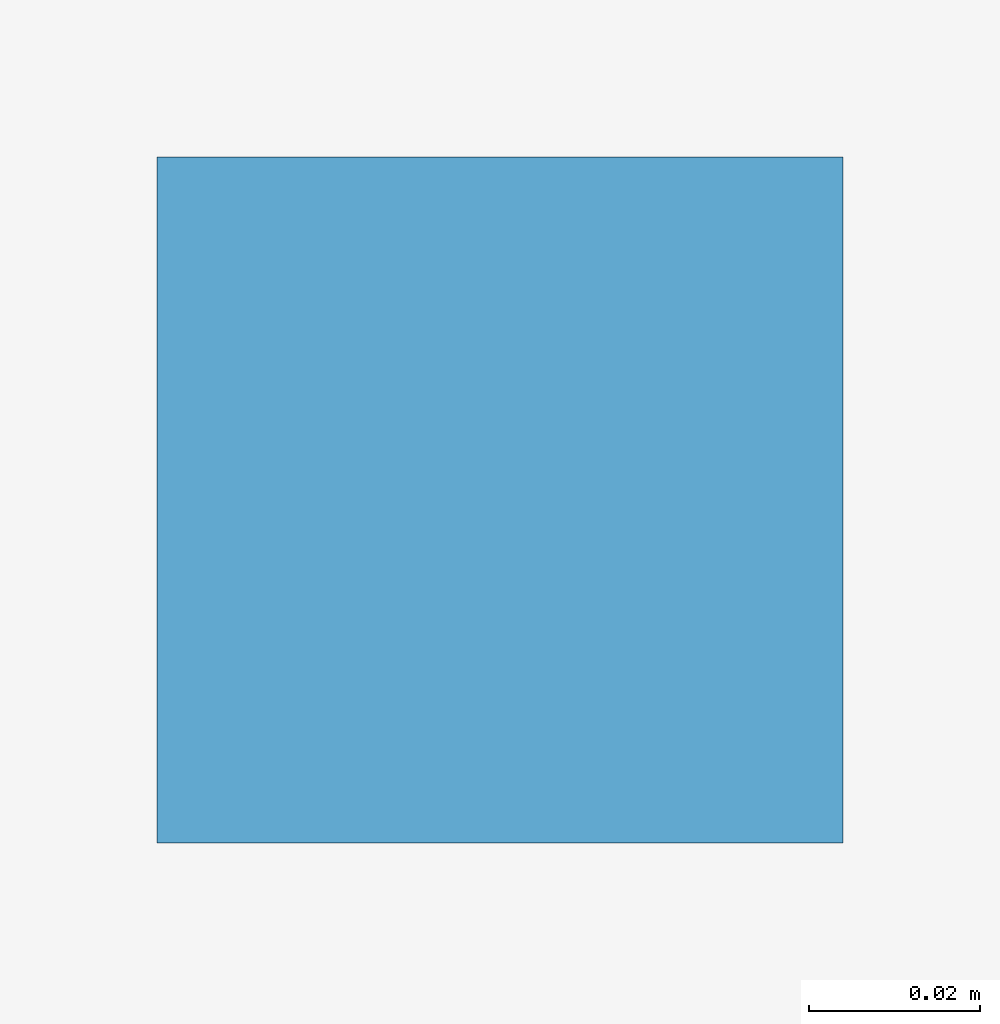
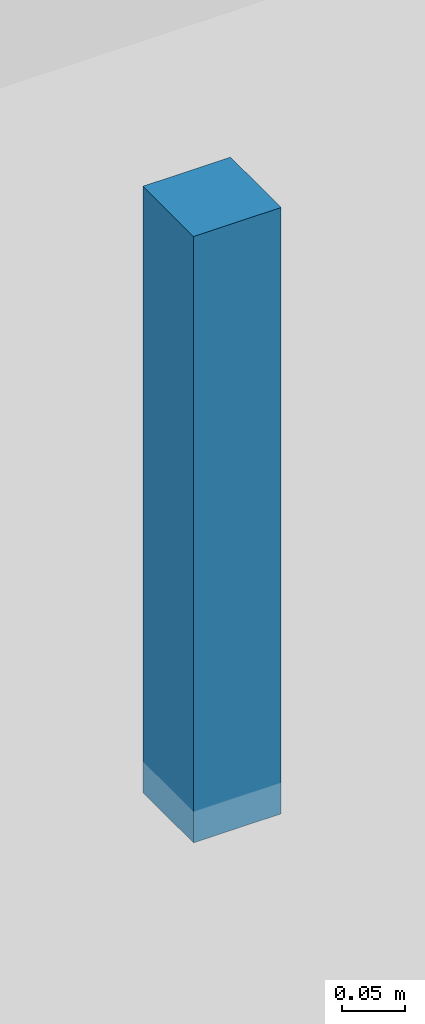
# One storey, part 12 of 15: 1 discrete accessory.
"""IFC4 building model written with IfcOpenShell, lengths in metres."""

from ifc_helpers import new_model, si_unit, direction, frame, origin, origin_2d, place, context, subcontext, project, spatial, rectangle, extrude, source, transform, mapped, material, type_object, element, save


model = new_model("IFC4")

# Units and contexts
model_context = context("Model", 3, precision=1e-05, world=origin(), true_north=direction((0.0, 1.0)))
body_context = subcontext(model_context, "Body", "Model", "MODEL_VIEW")
ifc_project = project(units=[si_unit("LENGTHUNIT", "METRE"), si_unit("AREAUNIT", "SQUARE_METRE"), si_unit("VOLUMEUNIT", "CUBIC_METRE"), si_unit("PLANEANGLEUNIT", "RADIAN"), si_unit("MASSUNIT", "GRAM", prefix="KILO")], contexts=[model_context])

# Site, building, storey
site_placement = place(None, origin())
site = spatial("IfcSite", under=ifc_project, at=site_placement, CompositionType="ELEMENT")
building_placement = place(site_placement, origin())
building = spatial("IfcBuilding", under=site, at=building_placement, Name="Giltprow Tower", CompositionType="ELEMENT")
storey_placement = place(building_placement, frame((0.0, 0.0, 290.39990234375)))
storey = spatial("IfcBuildingStorey", under=building, at=storey_placement, Name="L74", CompositionType="ELEMENT", Elevation=290.39990234375)

# Discrete accessory
ifc_material = material(Name="Structural steel Q355B", Category="steel")
discrete_accessory_type = type_object("IfcDiscreteAccessoryType", Name="ACC-CLG-HANGER", PredefinedType="BRACKET", material=ifc_material)
shared_shape = source(origin(), body_context, "Body", "SweptSolid", [
    extrude(rectangle(XDim=0.080078125, YDim=0.080078125, at=origin_2d()), origin(), (0.0, 0.0, 1.0), 0.5849609375),
])
discrete_accessory_placement = place(storey_placement, frame((35.0, 36.10009765625, 2.61962890625), z_axis=(0.0, 0.0, 1.0), x_axis=(1.0, 0.0, 0.0)))
element("IfcDiscreteAccessory", 1, at=discrete_accessory_placement, inside=storey, type_object=discrete_accessory_type, Name="L74 Residence Gallery Ceiling Suspension Hanger", PredefinedType="BRACKET", context=body_context, shape_type="MappedRepresentation", body=[
    mapped(shared_shape, transform((0.0, 0.0, 0.0), x_axis=(1.0, 0.0, 0.0), y_axis=(0.0, 1.0, 0.0), z_axis=(0.0, 0.0, 1.0), scale=1.0)),
])

save(model, "model.ifc")
